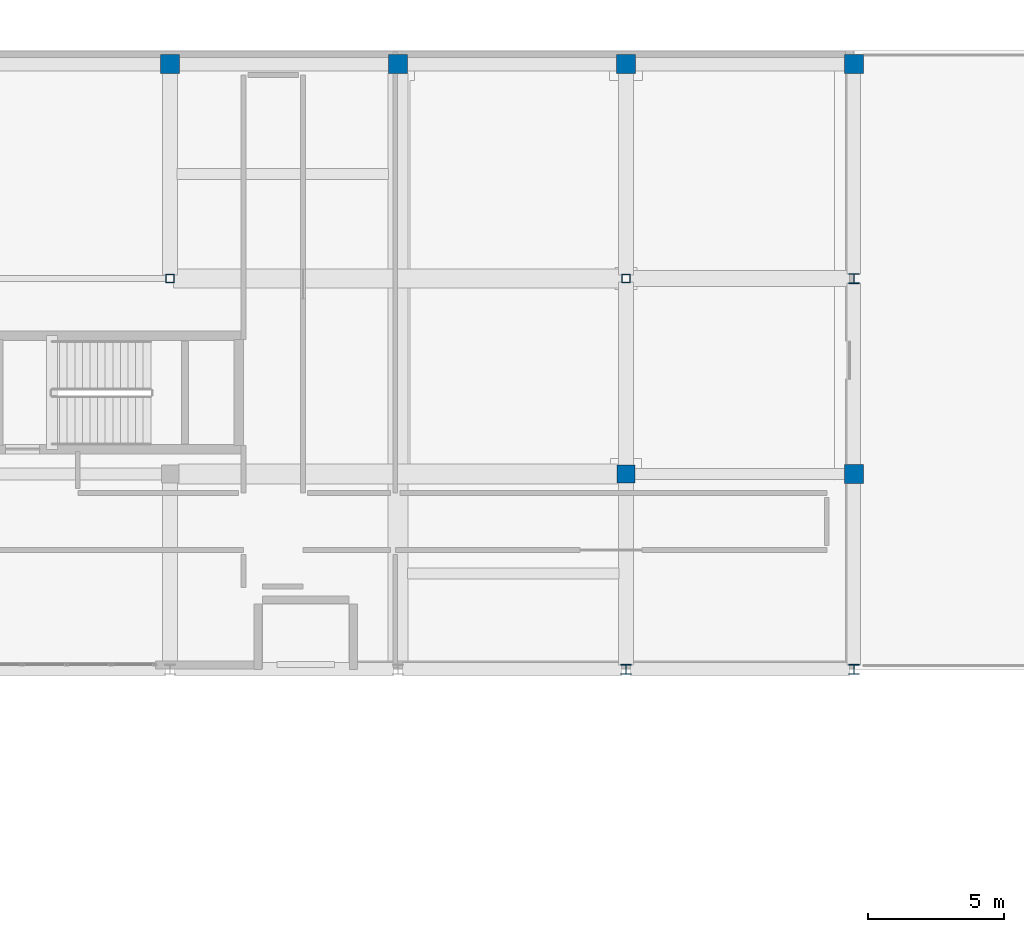
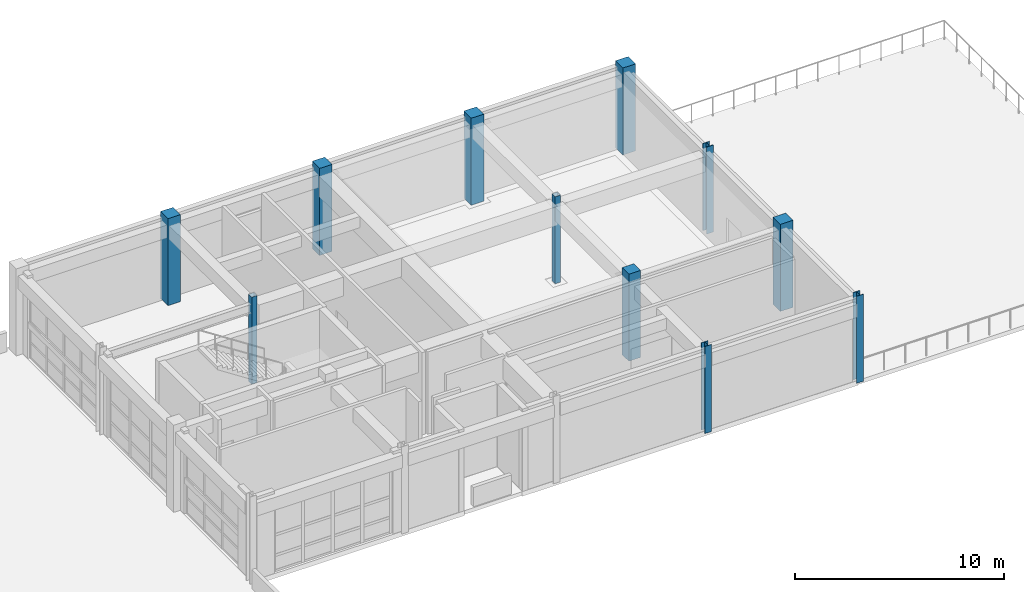
# One storey, part 11 of 78: 11 columns.
"""IFC4 building model written with IfcOpenShell, lengths in metres."""

from ifc_helpers import new_model, si_unit, direction, frame, origin, origin_2d, place, context, subcontext, project, spatial, rectangle, hollow_rectangle, i_section, extrude, material, material_profile, profile_set, type_object, element, save


model = new_model("IFC4")

# Units and contexts
model_context = context("Model", 3, precision=1e-05, world=origin(), true_north=direction((0.0, 1.0)))
body_context = subcontext(model_context, "Body", "Model", "MODEL_VIEW")
ifc_project = project(units=[si_unit("LENGTHUNIT", "METRE"), si_unit("AREAUNIT", "SQUARE_METRE"), si_unit("VOLUMEUNIT", "CUBIC_METRE"), si_unit("PLANEANGLEUNIT", "RADIAN"), si_unit("MASSUNIT", "GRAM", prefix="KILO")], contexts=[model_context])

# Site, building, storey
site_placement = place(None, origin())
site = spatial("IfcSite", under=ifc_project, at=site_placement, CompositionType="ELEMENT")
building_placement = place(site_placement, origin())
building = spatial("IfcBuilding", under=site, at=building_placement, Name="Quendrovan Civic Courthouse", CompositionType="ELEMENT")
storey_placement = place(building_placement, frame((0.0, 0.0, 10.199951171875)))
storey = spatial("IfcBuildingStorey", under=building, at=storey_placement, Name="L03", CompositionType="ELEMENT", Elevation=10.199951171875)

# Columns
ifc_material_1 = material(Name="Concrete C45/55", Category="concrete")
ifc_material_profile_1 = material_profile(ifc_material_1, rectangle(XDim=0.64990234375, YDim=0.64990234375, at=origin_2d()), Name="RC-COL-650x650")
ifc_profile_set_1 = profile_set([ifc_material_profile_1], Name="Concrete C45/55")
column_type_1 = type_object("IfcColumnType", Name="COL-RC650", PredefinedType="COLUMN", material=ifc_profile_set_1)
column_placement = place(storey_placement, frame((134.39990234375, 94.800048828125, 0.0), z_axis=(0.0, 0.0, 1.0), x_axis=(1.0, 0.0, 0.0)))
element("IfcColumn", 1, at=column_placement, inside=storey, type_object=column_type_1, Name="L03 Column 17-N", PredefinedType="COLUMN", context=body_context, shape_type="SweptSolid", body=[
    extrude(rectangle(XDim=0.64990234375, YDim=0.64990234375, at=origin_2d()), origin(), (0.0, 0.0, 1.0), 5.10009765625),
])
ifc_material_profile_2 = material_profile(ifc_material_1, rectangle(XDim=0.699951171875, YDim=0.699951171875, at=origin_2d()), Name="RC-COL-700x700")
ifc_profile_set_2 = profile_set([ifc_material_profile_2], Name="Concrete C45/55")
column_type_2 = type_object("IfcColumnType", Name="COL-RC700", PredefinedType="COLUMN", material=ifc_profile_set_2)
for number, where, z_axis, x_axis, name in (
    (2, (117.60009765625, 109.89990234375, 0.0), (0.0, 0.0, 1.0), (1.0, 0.0, 0.0), "L03 Column 15-Q"),
    (3, (126.0, 109.89990234375, 0.0), (0.0, 0.0, 1.0), (1.0, 0.0, 0.0), "L03 Column 16-Q"),
    (4, (134.39990234375, 109.89990234375, 0.0), (0.0, 0.0, 1.0), (1.0, 0.0, 0.0), "L03 Column 17-Q"),
    (5, (142.800048828125, 94.800048828125, 0.0), (0.0, 0.0, 1.0), (1.0, 0.0, 0.0), "L03 Column 18-N"),
    (6, (142.800048828125, 109.89990234375, 0.0), (0.0, 0.0, 1.0), (1.0, 0.0, 0.0), "L03 Column 18-Q"),
):
    element("IfcColumn", number, at=place(storey_placement, frame(where, z_axis=z_axis, x_axis=x_axis)), inside=storey, type_object=column_type_2, Name=name, PredefinedType="COLUMN", context=body_context, shape_type="SweptSolid", body=[
        extrude(rectangle(XDim=0.699951171875, YDim=0.699951171875, at=origin_2d()), origin(), (0.0, 0.0, 1.0), 5.10009765625),
    ])
ifc_material_2 = material(Name="Steel ASTM A500 Grade C", Category="steel")
ifc_material_profile_3 = material_profile(ifc_material_2, hollow_rectangle(XDim=0.300048828125, YDim=0.300048828125, WallThickness=0.011962890625, at=origin_2d()), Name="HSS300x300x12")
ifc_profile_set_3 = profile_set([ifc_material_profile_3], Name="Steel ASTM A500 Grade C")
column_type_3 = type_object("IfcColumnType", Name="COL-STL-HSS300S", PredefinedType="COLUMN", material=ifc_profile_set_3)
for number, where, z_axis, x_axis, name in (
    (7, (117.60009765625, 102.0, 0.0), (0.0, 0.0, 1.0), (1.0, 0.0, 0.0), "L03 Column 15-P"),
    (8, (134.39990234375, 102.0, 0.0), (0.0, 0.0, 1.0), (1.0, 0.0, 0.0), "L03 Column 17-P"),
):
    element("IfcColumn", number, at=place(storey_placement, frame(where, z_axis=z_axis, x_axis=x_axis)), inside=storey, type_object=column_type_3, Name=name, PredefinedType="COLUMN", context=body_context, shape_type="SweptSolid", body=[
        extrude(hollow_rectangle(XDim=0.300048828125, YDim=0.300048828125, WallThickness=0.011962890625, at=origin_2d()), origin(), (0.0, 0.0, 1.0), 5.10009765625),
    ])
ifc_material_3 = material(Name="Steel ASTM A992 Grade 50", Category="steel")
ifc_material_profile_4 = material_profile(ifc_material_3, i_section(OverallWidth=0.3740234375, OverallDepth=0.3720703125, WebThickness=0.016357421875, FlangeThickness=0.026123046875, at=origin_2d()), Name="W14X132")
ifc_profile_set_4 = profile_set([ifc_material_profile_4], Name="Steel ASTM A992 Grade 50")
column_type_4 = type_object("IfcColumnType", Name="COL-STL-W14X132", PredefinedType="COLUMN", material=ifc_profile_set_4)
for number, where, z_axis, x_axis, name in (
    (9, (134.39990234375, 87.60009765625, 0.0), (0.0, 0.0, 1.0), (1.0, 0.0, 0.0), "L03 Column 17-M"),
    (10, (142.800048828125, 87.60009765625, 0.0), (0.0, 0.0, 1.0), (1.0, 0.0, 0.0), "L03 Column 18-M"),
    (11, (142.800048828125, 102.0, 0.0), (0.0, 0.0, 1.0), (1.0, 0.0, 0.0), "L03 Column 18-P"),
):
    element("IfcColumn", number, at=place(storey_placement, frame(where, z_axis=z_axis, x_axis=x_axis)), inside=storey, type_object=column_type_4, Name=name, PredefinedType="COLUMN", context=body_context, shape_type="SweptSolid", body=[
        extrude(i_section(OverallWidth=0.3740234375, OverallDepth=0.3720703125, WebThickness=0.016357421875, FlangeThickness=0.026123046875, at=origin_2d()), origin(), (0.0, 0.0, 1.0), 5.10009765625),
    ])

save(model, "model.ifc")
